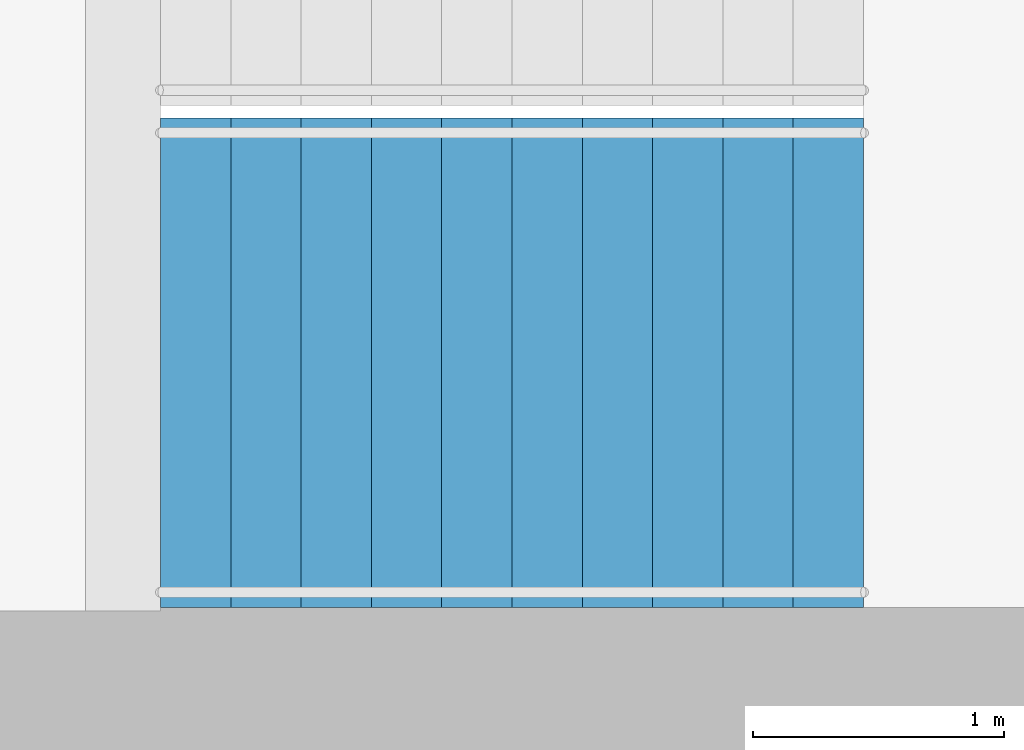
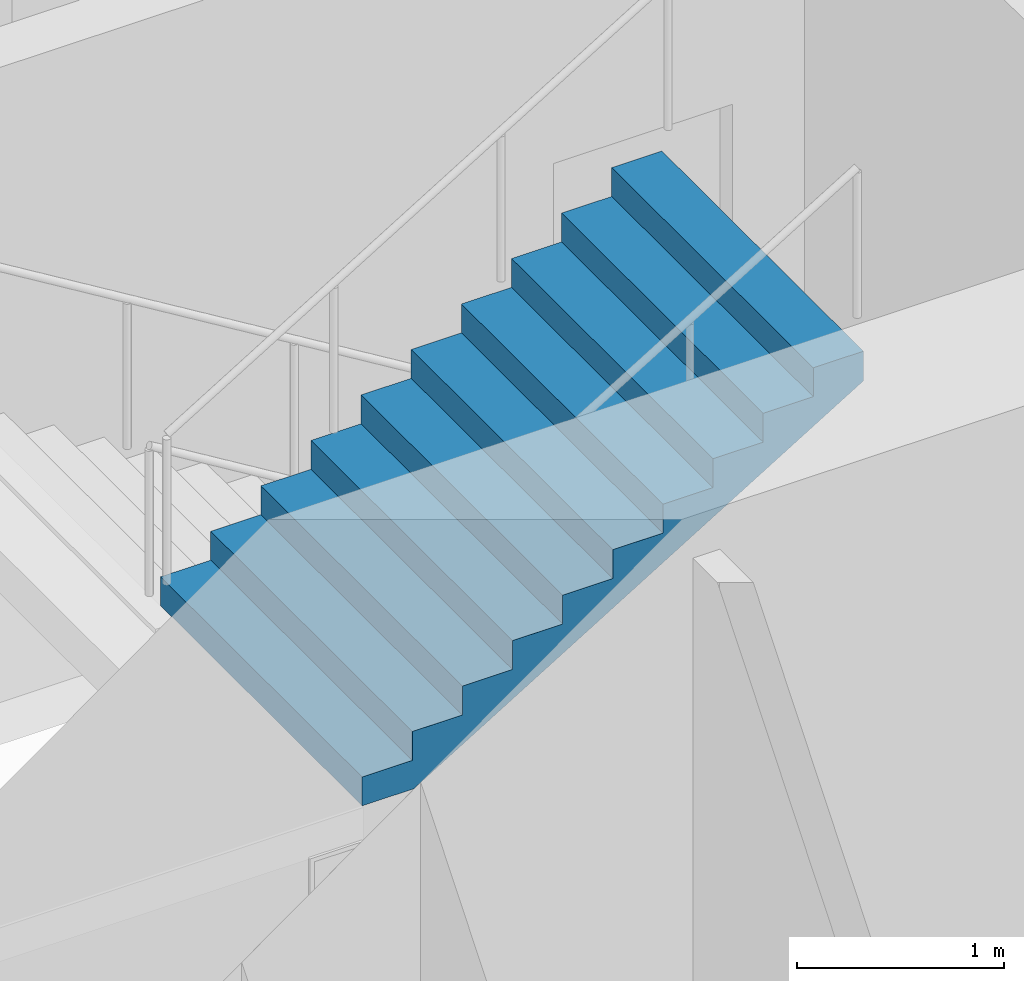
# One storey, part 20 of 22: 1 stair flight, 1 element without a shape of its own.
"""IFC4 building model written with IfcOpenShell, lengths in metres."""

import ifcopenshell
import ifcopenshell.guid

model = None  # the IFC model being written
_history = None  # IfcOwnerHistory: only IFC2X3 demands one
_inside = {}  # id of a spatial element -> (the spatial element, [elements in it])
_under = {}  # id of a project, library or spatial element -> (it, [spatial elements below it])
_declared = {}  # id of a project -> (the project, [libraries it declares])
_typed = {}  # id of a type object -> (the type object, [elements of that type])
_made_of = {}  # id of a material, layer set ... -> (it, [elements and type objects made of it])


def new_model(schema):
    """Start an empty IFC model of exactly this schema.

    Asked for "IFC4X3", IfcOpenShell would pick the latest addendum, in which some entities
    have other attributes; the version numbers below select the first issue.
    IFC2X3 requires an IfcOwnerHistory on every rooted entity: one is made here for all.
    """
    global model, _history
    if schema == "IFC4X3":
        model = ifcopenshell.file(schema_version=(4, 3, 0, 0))
    else:
        model = ifcopenshell.file(schema=schema)
    _inside.clear()
    _under.clear()
    _declared.clear()
    _typed.clear()
    _made_of.clear()
    _history = None
    if model.schema == "IFC2X3":
        org = make("IfcOrganization", Name="unknown")
        user = make(
            "IfcPersonAndOrganization",
            ThePerson=make("IfcPerson", FamilyName="unknown"),
            TheOrganization=org,
        )
        app = make(
            "IfcApplication",
            ApplicationDeveloper=org,
            Version="unknown",
            ApplicationFullName="unknown",
            ApplicationIdentifier="unknown",
        )
        _history = make(
            "IfcOwnerHistory",
            OwningUser=user,
            OwningApplication=app,
            ChangeAction="ADDED",
            CreationDate=0,
        )
    return model


def make(cls, **values):
    """One entity of the class cls with the attributes given. An attribute that is None is left unset."""
    return model.create_entity(
        cls, **{name: value for name, value in values.items() if value is not None}
    )


def rooted(cls, **values):
    """An entity with a GlobalId (a new one), such as an element, a storey or a relation."""
    return make(cls, GlobalId=ifcopenshell.guid.new(), OwnerHistory=_history, **values)


def si_unit(unit_type, name, prefix=None):
    """IfcSIUnit, for example si_unit("LENGTHUNIT", "METRE", prefix="MILLI")."""
    return make("IfcSIUnit", UnitType=unit_type, Prefix=prefix, Name=name)


def assignment(units):
    """IfcUnitAssignment: the units of a project."""
    return None if units is None else make("IfcUnitAssignment", Units=units)


def point(xyz):
    """IfcCartesianPoint."""
    return None if xyz is None else make("IfcCartesianPoint", Coordinates=xyz)


def direction(xyz):
    """IfcDirection."""
    return None if xyz is None else make("IfcDirection", DirectionRatios=xyz)


def frame(location, z_axis=None, x_axis=None):
    """IfcAxis2Placement3D, a coordinate frame: its origin and axes. An axis left out is left unset."""
    return make(
        "IfcAxis2Placement3D",
        Location=point(location),
        Axis=direction(z_axis),
        RefDirection=direction(x_axis),
    )


def origin():
    """The frame at (0, 0, 0) with its axes left unset."""
    return frame((0.0, 0.0, 0.0))


def place(relative_to, where):
    """IfcLocalPlacement: puts the frame where relative to a parent placement (None: the world)."""
    return make(
        "IfcLocalPlacement", PlacementRelTo=relative_to, RelativePlacement=where
    )


def context(
    kind, dimensions, precision=None, world=None, true_north=None, identifier=None
):
    """IfcGeometricRepresentationContext, for example the 3D "Model" context."""
    return make(
        "IfcGeometricRepresentationContext",
        ContextIdentifier=identifier,
        ContextType=kind,
        CoordinateSpaceDimension=dimensions,
        Precision=precision,
        WorldCoordinateSystem=world,
        TrueNorth=true_north,
    )


def subcontext(parent, identifier, kind, view, scale=None):
    """IfcGeometricRepresentationSubContext, for example "Body" below "Model"."""
    return make(
        "IfcGeometricRepresentationSubContext",
        ContextIdentifier=identifier,
        ContextType=kind,
        ParentContext=parent,
        TargetScale=scale,
        TargetView=view,
    )


def project(units=None, contexts=None):
    """IfcProject with its units and contexts."""
    return rooted(
        "IfcProject",
        Name="project",
        RepresentationContexts=contexts,
        UnitsInContext=assignment(units),
    )


def spatial(cls, under=None, at=None, **own):
    """A site, building, storey or space (cls), placed at a placement, below another one or the project."""
    s = rooted(cls, ObjectPlacement=at, **own)
    if under is not None:
        _under.setdefault(under.id(), (under, []))[1].append(s)
    return s


def point_list(points):
    """IfcCartesianPointList2D or 3D."""
    cls = (
        "IfcCartesianPointList2D" if len(points[0]) == 2 else "IfcCartesianPointList3D"
    )
    return make(cls, CoordList=points)


def triangles(points, corners, closed=None, point_numbers=None):
    """IfcTriangulatedFaceSet: each triangle names its three corners, points numbered from 1."""
    return make(
        "IfcTriangulatedFaceSet",
        Coordinates=point_list(points),
        Closed=closed,
        CoordIndex=corners,
        PnIndex=point_numbers,
    )


def shape(context_of_items, identifier, shape_type, items):
    """IfcShapeRepresentation: the items that make up one representation, for example the "Body"."""
    return make(
        "IfcShapeRepresentation",
        ContextOfItems=context_of_items,
        RepresentationIdentifier=identifier,
        RepresentationType=shape_type,
        Items=items,
    )


def material(Name=None, Category=None):
    """IfcMaterial."""
    return make("IfcMaterial", Name=Name, Category=Category)


def made_of(thing, what):
    """Note that an element or type object is made of a material, layer set ...; save() writes the relation."""
    if what is not None:
        _made_of.setdefault(what.id(), (what, []))[1].append(thing)
    return thing


def type_object(cls, material=None, **own):
    """A type object (cls), such as IfcWallType, which elements share."""
    return made_of(rooted(cls, **own), material)


def element(
    cls,
    number,
    at=None,
    inside=None,
    cuts=None,
    type_object=None,
    material=None,
    context=None,
    identifier="Body",
    shape_type=None,
    held_by="IfcProductDefinitionShape",
    body=None,
    shapes=None,
    **own,
):
    """One element of the class cls, such as IfcWall. Its Tag is "e" and its number.

    at: its placement. inside: the storey or other place that contains it. cuts: it is an
    opening in that element (IfcRelVoidsElement). A single representation is given by context,
    identifier, shape_type and body (its items); several are given by shapes. held_by: the class
    of the entity that holds the representations. save() writes the other relations.
    """
    e = rooted(cls, Tag="e%d" % number, ObjectPlacement=at, **own)
    if body is not None:
        shapes = [shape(context, identifier, shape_type, body)]
    if shapes is not None:
        e.Representation = make(held_by, Representations=shapes)
    if inside is not None:
        _inside.setdefault(inside.id(), (inside, []))[1].append(e)
    if cuts is not None:
        rooted(
            "IfcRelVoidsElement", RelatingBuildingElement=cuts, RelatedOpeningElement=e
        )
    if type_object is not None:
        _typed.setdefault(type_object.id(), (type_object, []))[1].append(e)
    return made_of(e, material)


def aggregate(whole, parts):
    """IfcRelAggregates: a whole, such as a stair, and the parts it consists of."""
    return rooted("IfcRelAggregates", RelatingObject=whole, RelatedObjects=parts)


def save(model, path):
    """Write the relations noted so far, then the file.

    IfcRelAggregates (storeys below a building ...), IfcRelContainedInSpatialStructure (elements
    in a storey), IfcRelDefinesByType, IfcRelAssociatesMaterial and IfcRelDeclares: one each for
    every whole, place, type object, material and project.
    """
    for whole, parts in _under.values():
        aggregate(whole, parts)
    for where, things in _inside.values():
        rooted(
            "IfcRelContainedInSpatialStructure",
            RelatedElements=things,
            RelatingStructure=where,
        )
    for kind, things in _typed.values():
        rooted("IfcRelDefinesByType", RelatedObjects=things, RelatingType=kind)
    for what, things in _made_of.values():
        rooted("IfcRelAssociatesMaterial", RelatedObjects=things, RelatingMaterial=what)
    for by, libraries in _declared.values():
        rooted("IfcRelDeclares", RelatingContext=by, RelatedDefinitions=libraries)
    model.write(path)


model = new_model("IFC4")

# Units and contexts
model_context = context("Model", 3, precision=1e-05, world=origin(), true_north=direction((0.0, 1.0)))
body_context = subcontext(model_context, "Body", "Model", "MODEL_VIEW")
ifc_project = project(units=[si_unit("LENGTHUNIT", "METRE"), si_unit("AREAUNIT", "SQUARE_METRE"), si_unit("VOLUMEUNIT", "CUBIC_METRE"), si_unit("PLANEANGLEUNIT", "RADIAN"), si_unit("MASSUNIT", "GRAM", prefix="KILO")], contexts=[model_context])

# Site, building, storey
site_placement = place(None, origin())
site = spatial("IfcSite", under=ifc_project, at=site_placement, CompositionType="ELEMENT")
building_placement = place(site_placement, origin())
building = spatial("IfcBuilding", under=site, at=building_placement, Name="Orbita Commons", CompositionType="ELEMENT")
storey_placement = place(building_placement, frame((0.0, 0.0, 57.699951171875)))
storey = spatial("IfcBuildingStorey", under=building, at=storey_placement, Name="L14", CompositionType="ELEMENT", Elevation=57.699951171875)

# Stair, stair flight
ifc_material_1 = material(Name="Precast concrete C40/50", Category="concrete")
stair_type = type_object("IfcStairType", Name="Exit stair S2 2 flights 11 risers 170", PredefinedType="HALF_TURN_STAIR", material=ifc_material_1)
stair_placement = place(storey_placement, origin())
stair = element("IfcStair", 1, at=stair_placement, inside=storey, type_object=stair_type, Name="Exit stair S2 L14", PredefinedType="HALF_TURN_STAIR")
ifc_material_2 = material(Name="Precast concrete C40/50", Category="concrete")
stair_flight_type = type_object("IfcStairFlightType", Name="Stair flight 11 risers 170 x 280", PredefinedType="STRAIGHT", material=ifc_material_2)
stair_flight_placement = place(storey_placement, frame((60.75, 27.27490234375, 1.875), z_axis=(0.0, 0.0, 1.0), x_axis=(1.0, 0.0, 0.0)))
stair_flight = element("IfcStairFlight", 2, at=stair_flight_placement, type_object=stair_flight_type, Name="S2 flight 2", NumberOfRisers=11, NumberOfTreads=10, PredefinedType="STRAIGHT", RiserHeight=0.170454545, TreadLength=0.28, context=body_context, shape_type="Tessellation", body=[
    triangles([(0.0, 0.974976, 0.0), (0.0, 0.974976, 0.021307), (0.0, 0.81248, 0.021307), (0.0, 0.81248, 0.0), (0.0, 0.649984, 0.021307), (0.0, 0.649984, 0.0), (0.0, 0.487488, 0.021307), (0.0, 0.487488, 0.0), (0.0, 0.324992, 0.021307), (0.0, 0.324992, 0.0), (0.0, 0.162496, 0.021307), (0.0, 0.162496, 0.0), (0.0, 0.0, 0.021307), (0.0, 0.0, 0.0), (0.0, -0.162496, 0.021307), (0.0, -0.162496, 0.0), (0.0, -0.324992, 0.021307), (0.0, -0.324992, 0.0), (0.0, -0.487488, 0.021307), (0.0, -0.487488, 0.0), (0.0, -0.649984, 0.021307), (0.0, -0.649984, 0.0), (0.0, -0.81248, 0.021307), (0.0, -0.81248, 0.0), (0.0, -0.974976, 0.021307), (0.0, -0.974976, 0.0), (0.0, 0.974976, 0.042614), (0.0, 0.81248, 0.042614), (0.0, 0.649984, 0.042614), (0.0, 0.487488, 0.042614), (0.0, 0.324992, 0.042614), (0.0, 0.162496, 0.042614), (0.0, 0.0, 0.042614), (0.0, -0.162496, 0.042614), (0.0, -0.324992, 0.042614), (0.0, -0.487488, 0.042614), (0.0, -0.649984, 0.042614), (0.0, -0.81248, 0.042614), (0.0, -0.974976, 0.042614), (0.0, 0.974976, 0.06392), (0.0, 0.81248, 0.06392), (0.0, 0.649984, 0.06392), (0.0, 0.487488, 0.06392), (0.0, 0.324992, 0.06392), (0.0, 0.162496, 0.06392), (0.0, 0.0, 0.06392), (0.0, -0.162496, 0.06392), (0.0, -0.324992, 0.06392), (0.0, -0.487488, 0.06392), (0.0, -0.649984, 0.06392), (0.0, -0.81248, 0.06392), (0.0, -0.974976, 0.06392), (0.0, 0.974976, 0.085227), (0.0, 0.81248, 0.085227), (0.0, 0.649984, 0.085227), (0.0, 0.487488, 0.085227), (0.0, 0.324992, 0.085227), (0.0, 0.162496, 0.085227), (0.0, 0.0, 0.085227), (0.0, -0.162496, 0.085227), (0.0, -0.324992, 0.085227), (0.0, -0.487488, 0.085227), (0.0, -0.649984, 0.085227), (0.0, -0.81248, 0.085227), (0.0, -0.974976, 0.085227), (0.0, 0.974976, 0.106534), (0.0, 0.81248, 0.106534), (0.0, 0.649984, 0.106534), (0.0, 0.487488, 0.106534), (0.0, 0.324992, 0.106534), (0.0, 0.162496, 0.106534), (0.0, 0.0, 0.106534), (0.0, -0.162496, 0.106534), (0.0, -0.324992, 0.106534), (0.0, -0.487488, 0.106534), (0.0, -0.649984, 0.106534), (0.0, -0.81248, 0.106534), (0.0, -0.974976, 0.106534), (0.0, 0.974976, 0.127841), (0.0, 0.81248, 0.127841), (0.0, 0.649984, 0.127841), (0.0, 0.487488, 0.127841), (0.0, 0.324992, 0.127841), (0.0, 0.162496, 0.127841), (0.0, 0.0, 0.127841), (0.0, -0.162496, 0.127841), (0.0, -0.324992, 0.127841), (0.0, -0.487488, 0.127841), (0.0, -0.649984, 0.127841), (0.0, -0.81248, 0.127841), (0.0, -0.974976, 0.127841), (0.0, 0.974976, 0.149148), (0.0, 0.81248, 0.149148), (0.0, 0.649984, 0.149148), (0.0, 0.487488, 0.149148), (0.0, 0.324992, 0.149148), (0.0, 0.162496, 0.149148), (0.0, 0.0, 0.149148), (0.0, -0.162496, 0.149148), (0.0, -0.324992, 0.149148), (0.0, -0.487488, 0.149148), (0.0, -0.649984, 0.149148), (0.0, -0.81248, 0.149148), (0.0, -0.974976, 0.149148), (0.0, 0.974976, 0.170455), (0.0, 0.81248, 0.170455), (0.0, 0.649984, 0.170455), (0.0, 0.487488, 0.170455), (0.0, 0.324992, 0.170455), (0.0, 0.162496, 0.170455), (0.0, 0.0, 0.170455), (0.0, -0.162496, 0.170455), (0.0, -0.324992, 0.170455), (0.0, -0.487488, 0.170455), (0.0, -0.649984, 0.170455), (0.0, -0.81248, 0.170455), (0.0, -0.974976, 0.170455), (0.28, 0.974976, 0.170455), (0.28, 0.81248, 0.170455), (0.28, 0.649984, 0.170455), (0.28, 0.487488, 0.170455), (0.28, 0.324992, 0.170455), (0.28, 0.162496, 0.170455), (0.28, 0.0, 0.170455), (0.28, -0.162496, 0.170455), (0.28, -0.324992, 0.170455), (0.28, -0.487488, 0.170455), (0.28, -0.649984, 0.170455), (0.28, -0.81248, 0.170455), (0.28, -0.974976, 0.170455), (0.28, 0.974976, 0.340909), (0.28, 0.81248, 0.340909), (0.28, 0.649984, 0.340909), (0.28, 0.487488, 0.340909), (0.28, 0.324992, 0.340909), (0.28, 0.162496, 0.340909), (0.28, 0.0, 0.340909), (0.28, -0.162496, 0.340909), (0.28, -0.324992, 0.340909), (0.28, -0.487488, 0.340909), (0.28, -0.649984, 0.340909), (0.28, -0.81248, 0.340909), (0.28, -0.974976, 0.340909), (0.56, 0.974976, 0.340909), (0.56, 0.81248, 0.340909), (0.56, 0.649984, 0.340909), (0.56, 0.487488, 0.340909), (0.56, 0.324992, 0.340909), (0.56, 0.162496, 0.340909), (0.56, 0.0, 0.340909), (0.56, -0.162496, 0.340909), (0.56, -0.324992, 0.340909), (0.56, -0.487488, 0.340909), (0.56, -0.649984, 0.340909), (0.56, -0.81248, 0.340909), (0.56, -0.974976, 0.340909), (0.56, 0.974976, 0.511364), (0.56, 0.81248, 0.511364), (0.56, 0.649984, 0.511364), (0.56, 0.487488, 0.511364), (0.56, 0.324992, 0.511364), (0.56, 0.162496, 0.511364), (0.56, 0.0, 0.511364), (0.56, -0.162496, 0.511364), (0.56, -0.324992, 0.511364), (0.56, -0.487488, 0.511364), (0.56, -0.649984, 0.511364), (0.56, -0.81248, 0.511364), (0.56, -0.974976, 0.511364), (0.84, 0.974976, 0.511364), (0.84, 0.81248, 0.511364), (0.84, 0.649984, 0.511364), (0.84, 0.487488, 0.511364), (0.84, 0.324992, 0.511364), (0.84, 0.162496, 0.511364), (0.84, 0.0, 0.511364), (0.84, -0.162496, 0.511364), (0.84, -0.324992, 0.511364), (0.84, -0.487488, 0.511364), (0.84, -0.649984, 0.511364), (0.84, -0.81248, 0.511364), (0.84, -0.974976, 0.511364), (0.84, 0.974976, 0.681818), (0.84, 0.81248, 0.681818), (0.84, 0.649984, 0.681818), (0.84, 0.487488, 0.681818), (0.84, 0.324992, 0.681818), (0.84, 0.162496, 0.681818), (0.84, 0.0, 0.681818), (0.84, -0.162496, 0.681818), (0.84, -0.324992, 0.681818), (0.84, -0.487488, 0.681818), (0.84, -0.649984, 0.681818), (0.84, -0.81248, 0.681818), (0.84, -0.974976, 0.681818), (1.12, 0.974976, 0.681818), (1.12, 0.81248, 0.681818), (1.12, 0.649984, 0.681818), (1.12, 0.487488, 0.681818), (1.12, 0.324992, 0.681818), (1.12, 0.162496, 0.681818), (1.12, 0.0, 0.681818), (1.12, -0.162496, 0.681818), (1.12, -0.324992, 0.681818), (1.12, -0.487488, 0.681818), (1.12, -0.649984, 0.681818), (1.12, -0.81248, 0.681818), (1.12, -0.974976, 0.681818), (1.12, 0.974976, 0.852273), (1.12, 0.81248, 0.852273), (1.12, 0.649984, 0.852273), (1.12, 0.487488, 0.852273), (1.12, 0.324992, 0.852273), (1.12, 0.162496, 0.852273), (1.12, 0.0, 0.852273), (1.12, -0.162496, 0.852273), (1.12, -0.324992, 0.852273), (1.12, -0.487488, 0.852273), (1.12, -0.649984, 0.852273), (1.12, -0.81248, 0.852273), (1.12, -0.974976, 0.852273), (1.4, 0.974976, 0.852273), (1.4, 0.81248, 0.852273), (1.4, 0.649984, 0.852273), (1.4, 0.487488, 0.852273), (1.4, 0.324992, 0.852273), (1.4, 0.162496, 0.852273), (1.4, 0.0, 0.852273), (1.4, -0.162496, 0.852273), (1.4, -0.324992, 0.852273), (1.4, -0.487488, 0.852273), (1.4, -0.649984, 0.852273), (1.4, -0.81248, 0.852273), (1.4, -0.974976, 0.852273), (1.4, 0.974976, 1.022727), (1.4, 0.81248, 1.022727), (1.4, 0.649984, 1.022727), (1.4, 0.487488, 1.022727), (1.4, 0.324992, 1.022727), (1.4, 0.162496, 1.022727), (1.4, 0.0, 1.022727), (1.4, -0.162496, 1.022727), (1.4, -0.324992, 1.022727), (1.4, -0.487488, 1.022727), (1.4, -0.649984, 1.022727), (1.4, -0.81248, 1.022727), (1.4, -0.974976, 1.022727), (1.68, 0.974976, 1.022727), (1.68, 0.81248, 1.022727), (1.68, 0.649984, 1.022727), (1.68, 0.487488, 1.022727), (1.68, 0.324992, 1.022727), (1.68, 0.162496, 1.022727), (1.68, 0.0, 1.022727), (1.68, -0.162496, 1.022727), (1.68, -0.324992, 1.022727), (1.68, -0.487488, 1.022727), (1.68, -0.649984, 1.022727), (1.68, -0.81248, 1.022727), (1.68, -0.974976, 1.022727), (1.68, 0.974976, 1.193182), (1.68, 0.81248, 1.193182), (1.68, 0.649984, 1.193182), (1.68, 0.487488, 1.193182), (1.68, 0.324992, 1.193182), (1.68, 0.162496, 1.193182), (1.68, 0.0, 1.193182), (1.68, -0.162496, 1.193182), (1.68, -0.324992, 1.193182), (1.68, -0.487488, 1.193182), (1.68, -0.649984, 1.193182), (1.68, -0.81248, 1.193182), (1.68, -0.974976, 1.193182), (1.96, 0.974976, 1.193182), (1.96, 0.81248, 1.193182), (1.96, 0.649984, 1.193182), (1.96, 0.487488, 1.193182), (1.96, 0.324992, 1.193182), (1.96, 0.162496, 1.193182), (1.96, 0.0, 1.193182), (1.96, -0.162496, 1.193182), (1.96, -0.324992, 1.193182), (1.96, -0.487488, 1.193182), (1.96, -0.649984, 1.193182), (1.96, -0.81248, 1.193182), (1.96, -0.974976, 1.193182), (1.96, 0.974976, 1.363636), (1.96, 0.81248, 1.363636), (1.96, 0.649984, 1.363636), (1.96, 0.487488, 1.363636), (1.96, 0.324992, 1.363636), (1.96, 0.162496, 1.363636), (1.96, 0.0, 1.363636), (1.96, -0.162496, 1.363636), (1.96, -0.324992, 1.363636), (1.96, -0.487488, 1.363636), (1.96, -0.649984, 1.363636), (1.96, -0.81248, 1.363636), (1.96, -0.974976, 1.363636), (2.24, 0.974976, 1.363636), (2.24, 0.81248, 1.363636), (2.24, 0.649984, 1.363636), (2.24, 0.487488, 1.363636), (2.24, 0.324992, 1.363636), (2.24, 0.162496, 1.363636), (2.24, 0.0, 1.363636), (2.24, -0.162496, 1.363636), (2.24, -0.324992, 1.363636), (2.24, -0.487488, 1.363636), (2.24, -0.649984, 1.363636), (2.24, -0.81248, 1.363636), (2.24, -0.974976, 1.363636), (2.24, 0.974976, 1.534091), (2.24, 0.81248, 1.534091), (2.24, 0.649984, 1.534091), (2.24, 0.487488, 1.534091), (2.24, 0.324992, 1.534091), (2.24, 0.162496, 1.534091), (2.24, 0.0, 1.534091), (2.24, -0.162496, 1.534091), (2.24, -0.324992, 1.534091), (2.24, -0.487488, 1.534091), (2.24, -0.649984, 1.534091), (2.24, -0.81248, 1.534091), (2.24, -0.974976, 1.534091), (2.52, 0.974976, 1.534091), (2.52, 0.81248, 1.534091), (2.52, 0.649984, 1.534091), (2.52, 0.487488, 1.534091), (2.52, 0.324992, 1.534091), (2.52, 0.162496, 1.534091), (2.52, 0.0, 1.534091), (2.52, -0.162496, 1.534091), (2.52, -0.324992, 1.534091), (2.52, -0.487488, 1.534091), (2.52, -0.649984, 1.534091), (2.52, -0.81248, 1.534091), (2.52, -0.974976, 1.534091), (2.52, 0.974976, 1.704545), (2.52, 0.81248, 1.704545), (2.52, 0.649984, 1.704545), (2.52, 0.487488, 1.704545), (2.52, 0.324992, 1.704545), (2.52, 0.162496, 1.704545), (2.52, 0.0, 1.704545), (2.52, -0.162496, 1.704545), (2.52, -0.324992, 1.704545), (2.52, -0.487488, 1.704545), (2.52, -0.649984, 1.704545), (2.52, -0.81248, 1.704545), (2.52, -0.974976, 1.704545), (2.8, 0.974976, 1.704545), (2.8, 0.81248, 1.704545), (2.8, 0.649984, 1.704545), (2.8, 0.487488, 1.704545), (2.8, 0.324992, 1.704545), (2.8, 0.162496, 1.704545), (2.8, 0.0, 1.704545), (2.8, -0.162496, 1.704545), (2.8, -0.324992, 1.704545), (2.8, -0.487488, 1.704545), (2.8, -0.649984, 1.704545), (2.8, -0.81248, 1.704545), (2.8, -0.974976, 1.704545), (2.8, 0.974976, 1.682609), (2.8, 0.81248, 1.682609), (2.8, 0.649984, 1.682609), (2.8, 0.487488, 1.682609), (2.8, 0.324992, 1.682609), (2.8, 0.162496, 1.682609), (2.8, 0.0, 1.682609), (2.8, -0.162496, 1.682609), (2.8, -0.324992, 1.682609), (2.8, -0.487488, 1.682609), (2.8, -0.649984, 1.682609), (2.8, -0.81248, 1.682609), (2.8, -0.974976, 1.682609), (2.8, 0.974976, 1.660672), (2.8, 0.81248, 1.660672), (2.8, 0.649984, 1.660672), (2.8, 0.487488, 1.660672), (2.8, 0.324992, 1.660672), (2.8, 0.162496, 1.660672), (2.8, 0.0, 1.660672), (2.8, -0.162496, 1.660672), (2.8, -0.324992, 1.660672), (2.8, -0.487488, 1.660672), (2.8, -0.649984, 1.660672), (2.8, -0.81248, 1.660672), (2.8, -0.974976, 1.660672), (2.8, 0.974976, 1.638735), (2.8, 0.81248, 1.638735), (2.8, 0.649984, 1.638735), (2.8, 0.487488, 1.638735), (2.8, 0.324992, 1.638735), (2.8, 0.162496, 1.638735), (2.8, 0.0, 1.638735), (2.8, -0.162496, 1.638735), (2.8, -0.324992, 1.638735), (2.8, -0.487488, 1.638735), (2.8, -0.649984, 1.638735), (2.8, -0.81248, 1.638735), (2.8, -0.974976, 1.638735), (2.8, 0.974976, 1.616798), (2.8, 0.81248, 1.616798), (2.8, 0.649984, 1.616798), (2.8, 0.487488, 1.616798), (2.8, 0.324992, 1.616798), (2.8, 0.162496, 1.616798), (2.8, 0.0, 1.616798), (2.8, -0.162496, 1.616798), (2.8, -0.324992, 1.616798), (2.8, -0.487488, 1.616798), (2.8, -0.649984, 1.616798), (2.8, -0.81248, 1.616798), (2.8, -0.974976, 1.616798), (2.8, 0.974976, 1.594861), (2.8, 0.81248, 1.594861), (2.8, 0.649984, 1.594861), (2.8, 0.487488, 1.594861), (2.8, 0.324992, 1.594861), (2.8, 0.162496, 1.594861), (2.8, 0.0, 1.594861), (2.8, -0.162496, 1.594861), (2.8, -0.324992, 1.594861), (2.8, -0.487488, 1.594861), (2.8, -0.649984, 1.594861), (2.8, -0.81248, 1.594861), (2.8, -0.974976, 1.594861), (2.8, 0.974976, 1.572925), (2.8, 0.81248, 1.572925), (2.8, 0.649984, 1.572925), (2.8, 0.487488, 1.572925), (2.8, 0.324992, 1.572925), (2.8, 0.162496, 1.572925), (2.8, 0.0, 1.572925), (2.8, -0.162496, 1.572925), (2.8, -0.324992, 1.572925), (2.8, -0.487488, 1.572925), (2.8, -0.649984, 1.572925), (2.8, -0.81248, 1.572925), (2.8, -0.974976, 1.572925), (2.8, 0.974976, 1.550988), (2.8, 0.81248, 1.550988), (2.8, 0.649984, 1.550988), (2.8, 0.487488, 1.550988), (2.8, 0.324992, 1.550988), (2.8, 0.162496, 1.550988), (2.8, 0.0, 1.550988), (2.8, -0.162496, 1.550988), (2.8, -0.324992, 1.550988), (2.8, -0.487488, 1.550988), (2.8, -0.649984, 1.550988), (2.8, -0.81248, 1.550988), (2.8, -0.974976, 1.550988), (2.8, 0.974976, 1.529051), (2.8, 0.81248, 1.529051), (2.8, 0.649984, 1.529051), (2.8, 0.487488, 1.529051), (2.8, 0.324992, 1.529051), (2.8, 0.162496, 1.529051), (2.8, 0.0, 1.529051), (2.8, -0.162496, 1.529051), (2.8, -0.324992, 1.529051), (2.8, -0.487488, 1.529051), (2.8, -0.649984, 1.529051), (2.8, -0.81248, 1.529051), (2.8, -0.974976, 1.529051), (0.288279, 0.974976, 0.0), (0.288279, 0.81248, 0.0), (0.288279, 0.649984, 0.0), (0.288279, 0.487488, 0.0), (0.288279, 0.324992, 0.0), (0.288279, 0.162496, 0.0), (0.288279, 0.0, 0.0), (0.288279, -0.162496, 0.0), (0.288279, -0.324992, 0.0), (0.288279, -0.487488, 0.0), (0.288279, -0.649984, 0.0), (0.288279, -0.81248, 0.0), (0.288279, -0.974976, 0.0)], [[3, 2, 1], [4, 3, 1], [5, 3, 4], [6, 5, 4], [7, 5, 6], [8, 7, 6], [9, 7, 8], [10, 9, 8], [11, 9, 10], [12, 11, 10], [13, 11, 12], [14, 13, 12], [15, 13, 14], [16, 15, 14], [17, 15, 16], [18, 17, 16], [19, 17, 18], [20, 19, 18], [21, 19, 20], [22, 21, 20], [23, 21, 22], [24, 23, 22], [25, 23, 24], [26, 25, 24], [28, 27, 2], [3, 28, 2], [29, 28, 3], [5, 29, 3], [30, 29, 5], [7, 30, 5], [31, 30, 7], [9, 31, 7], [32, 31, 9], [11, 32, 9], [33, 32, 11], [13, 33, 11], [34, 33, 13], [15, 34, 13], [35, 34, 15], [17, 35, 15], [36, 35, 17], [19, 36, 17], [37, 36, 19], [21, 37, 19], [38, 37, 21], [23, 38, 21], [39, 38, 23], [25, 39, 23], [41, 40, 27], [28, 41, 27], [42, 41, 28], [29, 42, 28], [43, 42, 29], [30, 43, 29], [44, 43, 30], [31, 44, 30], [45, 44, 31], [32, 45, 31], [46, 45, 32], [33, 46, 32], [47, 46, 33], [34, 47, 33], [48, 47, 34], [35, 48, 34], [49, 48, 35], [36, 49, 35], [50, 49, 36], [37, 50, 36], [51, 50, 37], [38, 51, 37], [52, 51, 38], [39, 52, 38], [54, 53, 40], [41, 54, 40], [55, 54, 41], [42, 55, 41], [56, 55, 42], [43, 56, 42], [57, 56, 43], [44, 57, 43], [58, 57, 44], [45, 58, 44], [59, 58, 45], [46, 59, 45], [60, 59, 46], [47, 60, 46], [61, 60, 47], [48, 61, 47], [62, 61, 48], [49, 62, 48], [63, 62, 49], [50, 63, 49], [64, 63, 50], [51, 64, 50], [65, 64, 51], [52, 65, 51], [67, 66, 53], [54, 67, 53], [68, 67, 54], [55, 68, 54], [69, 68, 55], [56, 69, 55], [70, 69, 56], [57, 70, 56], [71, 70, 57], [58, 71, 57], [72, 71, 58], [59, 72, 58], [73, 72, 59], [60, 73, 59], [74, 73, 60], [61, 74, 60], [75, 74, 61], [62, 75, 61], [76, 75, 62], [63, 76, 62], [77, 76, 63], [64, 77, 63], [78, 77, 64], [65, 78, 64], [80, 79, 66], [67, 80, 66], [81, 80, 67], [68, 81, 67], [82, 81, 68], [69, 82, 68], [83, 82, 69], [70, 83, 69], [84, 83, 70], [71, 84, 70], [85, 84, 71], [72, 85, 71], [86, 85, 72], [73, 86, 72], [87, 86, 73], [74, 87, 73], [88, 87, 74], [75, 88, 74], [89, 88, 75], [76, 89, 75], [90, 89, 76], [77, 90, 76], [91, 90, 77], [78, 91, 77], [93, 92, 79], [80, 93, 79], [94, 93, 80], [81, 94, 80], [95, 94, 81], [82, 95, 81], [96, 95, 82], [83, 96, 82], [97, 96, 83], [84, 97, 83], [98, 97, 84], [85, 98, 84], [99, 98, 85], [86, 99, 85], [100, 99, 86], [87, 100, 86], [101, 100, 87], [88, 101, 87], [102, 101, 88], [89, 102, 88], [103, 102, 89], [90, 103, 89], [104, 103, 90], [91, 104, 90], [106, 105, 92], [93, 106, 92], [107, 106, 93], [94, 107, 93], [108, 107, 94], [95, 108, 94], [109, 108, 95], [96, 109, 95], [110, 109, 96], [97, 110, 96], [111, 110, 97], [98, 111, 97], [112, 111, 98], [99, 112, 98], [113, 112, 99], [100, 113, 99], [114, 113, 100], [101, 114, 100], [115, 114, 101], [102, 115, 101], [116, 115, 102], [103, 116, 102], [117, 116, 103], [104, 117, 103], [119, 118, 105], [106, 119, 105], [120, 119, 106], [107, 120, 106], [121, 120, 107], [108, 121, 107], [122, 121, 108], [109, 122, 108], [123, 122, 109], [110, 123, 109], [124, 123, 110], [111, 124, 110], [125, 124, 111], [112, 125, 111], [126, 125, 112], [113, 126, 112], [127, 126, 113], [114, 127, 113], [128, 127, 114], [115, 128, 114], [129, 128, 115], [116, 129, 115], [130, 129, 116], [117, 130, 116], [132, 131, 118], [119, 132, 118], [133, 132, 119], [120, 133, 119], [134, 133, 120], [121, 134, 120], [135, 134, 121], [122, 135, 121], [136, 135, 122], [123, 136, 122], [137, 136, 123], [124, 137, 123], [138, 137, 124], [125, 138, 124], [139, 138, 125], [126, 139, 125], [140, 139, 126], [127, 140, 126], [141, 140, 127], [128, 141, 127], [142, 141, 128], [129, 142, 128], [143, 142, 129], [130, 143, 129], [145, 144, 131], [132, 145, 131], [146, 145, 132], [133, 146, 132], [147, 146, 133], [134, 147, 133], [148, 147, 134], [135, 148, 134], [149, 148, 135], [136, 149, 135], [150, 149, 136], [137, 150, 136], [151, 150, 137], [138, 151, 137], [152, 151, 138], [139, 152, 138], [153, 152, 139], [140, 153, 139], [154, 153, 140], [141, 154, 140], [155, 154, 141], [142, 155, 141], [156, 155, 142], [143, 156, 142], [158, 157, 144], [145, 158, 144], [159, 158, 145], [146, 159, 145], [160, 159, 146], [147, 160, 146], [161, 160, 147], [148, 161, 147], [162, 161, 148], [149, 162, 148], [163, 162, 149], [150, 163, 149], [164, 163, 150], [151, 164, 150], [165, 164, 151], [152, 165, 151], [166, 165, 152], [153, 166, 152], [167, 166, 153], [154, 167, 153], [168, 167, 154], [155, 168, 154], [169, 168, 155], [156, 169, 155], [171, 170, 157], [158, 171, 157], [172, 171, 158], [159, 172, 158], [173, 172, 159], [160, 173, 159], [174, 173, 160], [161, 174, 160], [175, 174, 161], [162, 175, 161], [176, 175, 162], [163, 176, 162], [177, 176, 163], [164, 177, 163], [178, 177, 164], [165, 178, 164], [179, 178, 165], [166, 179, 165], [180, 179, 166], [167, 180, 166], [181, 180, 167], [168, 181, 167], [182, 181, 168], [169, 182, 168], [184, 183, 170], [171, 184, 170], [185, 184, 171], [172, 185, 171], [186, 185, 172], [173, 186, 172], [187, 186, 173], [174, 187, 173], [188, 187, 174], [175, 188, 174], [189, 188, 175], [176, 189, 175], [190, 189, 176], [177, 190, 176], [191, 190, 177], [178, 191, 177], [192, 191, 178], [179, 192, 178], [193, 192, 179], [180, 193, 179], [194, 193, 180], [181, 194, 180], [195, 194, 181], [182, 195, 181], [197, 196, 183], [184, 197, 183], [198, 197, 184], [185, 198, 184], [199, 198, 185], [186, 199, 185], [200, 199, 186], [187, 200, 186], [201, 200, 187], [188, 201, 187], [202, 201, 188], [189, 202, 188], [203, 202, 189], [190, 203, 189], [204, 203, 190], [191, 204, 190], [205, 204, 191], [192, 205, 191], [206, 205, 192], [193, 206, 192], [207, 206, 193], [194, 207, 193], [208, 207, 194], [195, 208, 194], [210, 209, 196], [197, 210, 196], [211, 210, 197], [198, 211, 197], [212, 211, 198], [199, 212, 198], [213, 212, 199], [200, 213, 199], [214, 213, 200], [201, 214, 200], [215, 214, 201], [202, 215, 201], [216, 215, 202], [203, 216, 202], [217, 216, 203], [204, 217, 203], [218, 217, 204], [205, 218, 204], [219, 218, 205], [206, 219, 205], [220, 219, 206], [207, 220, 206], [221, 220, 207], [208, 221, 207], [223, 222, 209], [210, 223, 209], [224, 223, 210], [211, 224, 210], [225, 224, 211], [212, 225, 211], [226, 225, 212], [213, 226, 212], [227, 226, 213], [214, 227, 213], [228, 227, 214], [215, 228, 214], [229, 228, 215], [216, 229, 215], [230, 229, 216], [217, 230, 216], [231, 230, 217], [218, 231, 217], [232, 231, 218], [219, 232, 218], [233, 232, 219], [220, 233, 219], [234, 233, 220], [221, 234, 220], [236, 235, 222], [223, 236, 222], [237, 236, 223], [224, 237, 223], [238, 237, 224], [225, 238, 224], [239, 238, 225], [226, 239, 225], [240, 239, 226], [227, 240, 226], [241, 240, 227], [228, 241, 227], [242, 241, 228], [229, 242, 228], [243, 242, 229], [230, 243, 229], [244, 243, 230], [231, 244, 230], [245, 244, 231], [232, 245, 231], [246, 245, 232], [233, 246, 232], [247, 246, 233], [234, 247, 233], [249, 248, 235], [236, 249, 235], [250, 249, 236], [237, 250, 236], [251, 250, 237], [238, 251, 237], [252, 251, 238], [239, 252, 238], [253, 252, 239], [240, 253, 239], [254, 253, 240], [241, 254, 240], [255, 254, 241], [242, 255, 241], [256, 255, 242], [243, 256, 242], [257, 256, 243], [244, 257, 243], [258, 257, 244], [245, 258, 244], [259, 258, 245], [246, 259, 245], [260, 259, 246], [247, 260, 246], [262, 261, 248], [249, 262, 248], [263, 262, 249], [250, 263, 249], [264, 263, 250], [251, 264, 250], [265, 264, 251], [252, 265, 251], [266, 265, 252], [253, 266, 252], [267, 266, 253], [254, 267, 253], [268, 267, 254], [255, 268, 254], [269, 268, 255], [256, 269, 255], [270, 269, 256], [257, 270, 256], [271, 270, 257], [258, 271, 257], [272, 271, 258], [259, 272, 258], [273, 272, 259], [260, 273, 259], [275, 274, 261], [262, 275, 261], [276, 275, 262], [263, 276, 262], [277, 276, 263], [264, 277, 263], [278, 277, 264], [265, 278, 264], [279, 278, 265], [266, 279, 265], [280, 279, 266], [267, 280, 266], [281, 280, 267], [268, 281, 267], [282, 281, 268], [269, 282, 268], [283, 282, 269], [270, 283, 269], [284, 283, 270], [271, 284, 270], [285, 284, 271], [272, 285, 271], [286, 285, 272], [273, 286, 272], [288, 287, 274], [275, 288, 274], [289, 288, 275], [276, 289, 275], [290, 289, 276], [277, 290, 276], [291, 290, 277], [278, 291, 277], [292, 291, 278], [279, 292, 278], [293, 292, 279], [280, 293, 279], [294, 293, 280], [281, 294, 280], [295, 294, 281], [282, 295, 281], [296, 295, 282], [283, 296, 282], [297, 296, 283], [284, 297, 283], [298, 297, 284], [285, 298, 284], [299, 298, 285], [286, 299, 285], [301, 300, 287], [288, 301, 287], [302, 301, 288], [289, 302, 288], [303, 302, 289], [290, 303, 289], [304, 303, 290], [291, 304, 290], [305, 304, 291], [292, 305, 291], [306, 305, 292], [293, 306, 292], [307, 306, 293], [294, 307, 293], [308, 307, 294], [295, 308, 294], [309, 308, 295], [296, 309, 295], [310, 309, 296], [297, 310, 296], [311, 310, 297], [298, 311, 297], [312, 311, 298], [299, 312, 298], [314, 313, 300], [301, 314, 300], [315, 314, 301], [302, 315, 301], [316, 315, 302], [303, 316, 302], [317, 316, 303], [304, 317, 303], [318, 317, 304], [305, 318, 304], [319, 318, 305], [306, 319, 305], [320, 319, 306], [307, 320, 306], [321, 320, 307], [308, 321, 307], [322, 321, 308], [309, 322, 308], [323, 322, 309], [310, 323, 309], [324, 323, 310], [311, 324, 310], [325, 324, 311], [312, 325, 311], [327, 326, 313], [314, 327, 313], [328, 327, 314], [315, 328, 314], [329, 328, 315], [316, 329, 315], [330, 329, 316], [317, 330, 316], [331, 330, 317], [318, 331, 317], [332, 331, 318], [319, 332, 318], [333, 332, 319], [320, 333, 319], [334, 333, 320], [321, 334, 320], [335, 334, 321], [322, 335, 321], [336, 335, 322], [323, 336, 322], [337, 336, 323], [324, 337, 323], [338, 337, 324], [325, 338, 324], [340, 339, 326], [327, 340, 326], [341, 340, 327], [328, 341, 327], [342, 341, 328], [329, 342, 328], [343, 342, 329], [330, 343, 329], [344, 343, 330], [331, 344, 330], [345, 344, 331], [332, 345, 331], [346, 345, 332], [333, 346, 332], [347, 346, 333], [334, 347, 333], [348, 347, 334], [335, 348, 334], [349, 348, 335], [336, 349, 335], [350, 349, 336], [337, 350, 336], [351, 350, 337], [338, 351, 337], [353, 352, 339], [340, 353, 339], [354, 353, 340], [341, 354, 340], [355, 354, 341], [342, 355, 341], [356, 355, 342], [343, 356, 342], [357, 356, 343], [344, 357, 343], [358, 357, 344], [345, 358, 344], [359, 358, 345], [346, 359, 345], [360, 359, 346], [347, 360, 346], [361, 360, 347], [348, 361, 347], [362, 361, 348], [349, 362, 348], [363, 362, 349], [350, 363, 349], [364, 363, 350], [351, 364, 350], [366, 365, 352], [353, 366, 352], [367, 366, 353], [354, 367, 353], [368, 367, 354], [355, 368, 354], [369, 368, 355], [356, 369, 355], [370, 369, 356], [357, 370, 356], [371, 370, 357], [358, 371, 357], [372, 371, 358], [359, 372, 358], [373, 372, 359], [360, 373, 359], [374, 373, 360], [361, 374, 360], [375, 374, 361], [362, 375, 361], [376, 375, 362], [363, 376, 362], [377, 376, 363], [364, 377, 363], [379, 378, 365], [366, 379, 365], [380, 379, 366], [367, 380, 366], [381, 380, 367], [368, 381, 367], [382, 381, 368], [369, 382, 368], [383, 382, 369], [370, 383, 369], [384, 383, 370], [371, 384, 370], [385, 384, 371], [372, 385, 371], [386, 385, 372], [373, 386, 372], [387, 386, 373], [374, 387, 373], [388, 387, 374], [375, 388, 374], [389, 388, 375], [376, 389, 375], [390, 389, 376], [377, 390, 376], [392, 391, 378], [379, 392, 378], [393, 392, 379], [380, 393, 379], [394, 393, 380], [381, 394, 380], [395, 394, 381], [382, 395, 381], [396, 395, 382], [383, 396, 382], [397, 396, 383], [384, 397, 383], [398, 397, 384], [385, 398, 384], [399, 398, 385], [386, 399, 385], [400, 399, 386], [387, 400, 386], [401, 400, 387], [388, 401, 387], [402, 401, 388], [389, 402, 388], [403, 402, 389], [390, 403, 389], [405, 404, 391], [392, 405, 391], [406, 405, 392], [393, 406, 392], [407, 406, 393], [394, 407, 393], [408, 407, 394], [395, 408, 394], [409, 408, 395], [396, 409, 395], [410, 409, 396], [397, 410, 396], [411, 410, 397], [398, 411, 397], [412, 411, 398], [399, 412, 398], [413, 412, 399], [400, 413, 399], [414, 413, 400], [401, 414, 400], [415, 414, 401], [402, 415, 401], [416, 415, 402], [403, 416, 402], [418, 417, 404], [405, 418, 404], [419, 418, 405], [406, 419, 405], [420, 419, 406], [407, 420, 406], [421, 420, 407], [408, 421, 407], [422, 421, 408], [409, 422, 408], [423, 422, 409], [410, 423, 409], [424, 423, 410], [411, 424, 410], [425, 424, 411], [412, 425, 411], [426, 425, 412], [413, 426, 412], [427, 426, 413], [414, 427, 413], [428, 427, 414], [415, 428, 414], [429, 428, 415], [416, 429, 415], [431, 430, 417], [418, 431, 417], [432, 431, 418], [419, 432, 418], [433, 432, 419], [420, 433, 419], [434, 433, 420], [421, 434, 420], [435, 434, 421], [422, 435, 421], [436, 435, 422], [423, 436, 422], [437, 436, 423], [424, 437, 423], [438, 437, 424], [425, 438, 424], [439, 438, 425], [426, 439, 425], [440, 439, 426], [427, 440, 426], [441, 440, 427], [428, 441, 427], [442, 441, 428], [429, 442, 428], [444, 443, 430], [431, 444, 430], [445, 444, 431], [432, 445, 431], [446, 445, 432], [433, 446, 432], [447, 446, 433], [434, 447, 433], [448, 447, 434], [435, 448, 434], [449, 448, 435], [436, 449, 435], [450, 449, 436], [437, 450, 436], [451, 450, 437], [438, 451, 437], [452, 451, 438], [439, 452, 438], [453, 452, 439], [440, 453, 439], [454, 453, 440], [441, 454, 440], [455, 454, 441], [442, 455, 441], [457, 456, 443], [444, 457, 443], [458, 457, 444], [445, 458, 444], [459, 458, 445], [446, 459, 445], [460, 459, 446], [447, 460, 446], [461, 460, 447], [448, 461, 447], [462, 461, 448], [449, 462, 448], [463, 462, 449], [450, 463, 449], [464, 463, 450], [451, 464, 450], [465, 464, 451], [452, 465, 451], [466, 465, 452], [453, 466, 452], [467, 466, 453], [454, 467, 453], [468, 467, 454], [455, 468, 454], [470, 469, 456], [457, 470, 456], [471, 470, 457], [458, 471, 457], [472, 471, 458], [459, 472, 458], [473, 472, 459], [460, 473, 459], [474, 473, 460], [461, 474, 460], [475, 474, 461], [462, 475, 461], [476, 475, 462], [463, 476, 462], [477, 476, 463], [464, 477, 463], [478, 477, 464], [465, 478, 464], [479, 478, 465], [466, 479, 465], [480, 479, 466], [467, 480, 466], [481, 480, 467], [468, 481, 467], [4, 1, 469], [470, 4, 469], [6, 4, 470], [471, 6, 470], [8, 6, 471], [472, 8, 471], [10, 8, 472], [473, 10, 472], [12, 10, 473], [474, 12, 473], [14, 12, 474], [475, 14, 474], [16, 14, 475], [476, 16, 475], [18, 16, 476], [477, 18, 476], [20, 18, 477], [478, 20, 477], [22, 20, 478], [479, 22, 478], [24, 22, 479], [480, 24, 479], [26, 24, 480], [481, 26, 480], [456, 469, 1], [26, 481, 468], [443, 456, 1], [26, 468, 455], [430, 443, 1], [26, 455, 442], [417, 430, 1], [26, 442, 429], [404, 417, 1], [26, 429, 416], [391, 404, 1], [26, 416, 403], [378, 391, 1], [26, 403, 390], [365, 378, 1], [26, 390, 377], [339, 352, 365], [377, 364, 351], [326, 339, 365], [377, 351, 338], [300, 313, 326], [338, 325, 312], [300, 326, 365], [377, 338, 312], [274, 287, 300], [312, 299, 286], [274, 300, 365], [377, 312, 286], [248, 261, 274], [286, 273, 260], [248, 274, 365], [377, 286, 260], [222, 235, 248], [260, 247, 234], [222, 248, 365], [377, 260, 234], [196, 209, 222], [234, 221, 208], [196, 222, 365], [377, 234, 208], [170, 183, 196], [208, 195, 182], [170, 196, 365], [377, 208, 182], [144, 157, 170], [182, 169, 156], [144, 170, 365], [377, 182, 156], [118, 131, 144], [156, 143, 130], [118, 144, 365], [377, 156, 130], [118, 365, 1], [26, 377, 130], [92, 105, 118], [130, 117, 104], [79, 92, 118], [130, 104, 91], [66, 79, 118], [130, 91, 78], [53, 66, 118], [130, 78, 65], [40, 53, 118], [130, 65, 52], [27, 40, 118], [130, 52, 39], [2, 27, 118], [130, 39, 25], [1, 2, 118], [130, 25, 26]], closed=True),
])
aggregate(stair, [stair_flight])

save(model, "model.ifc")
